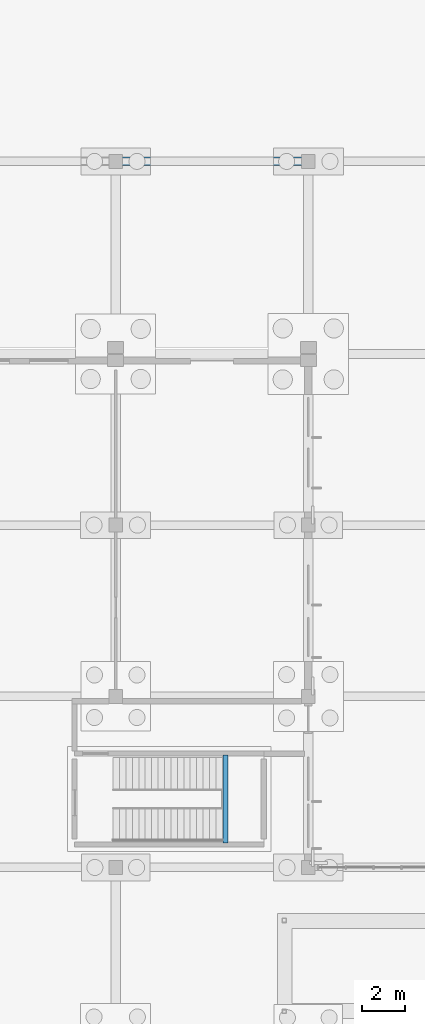
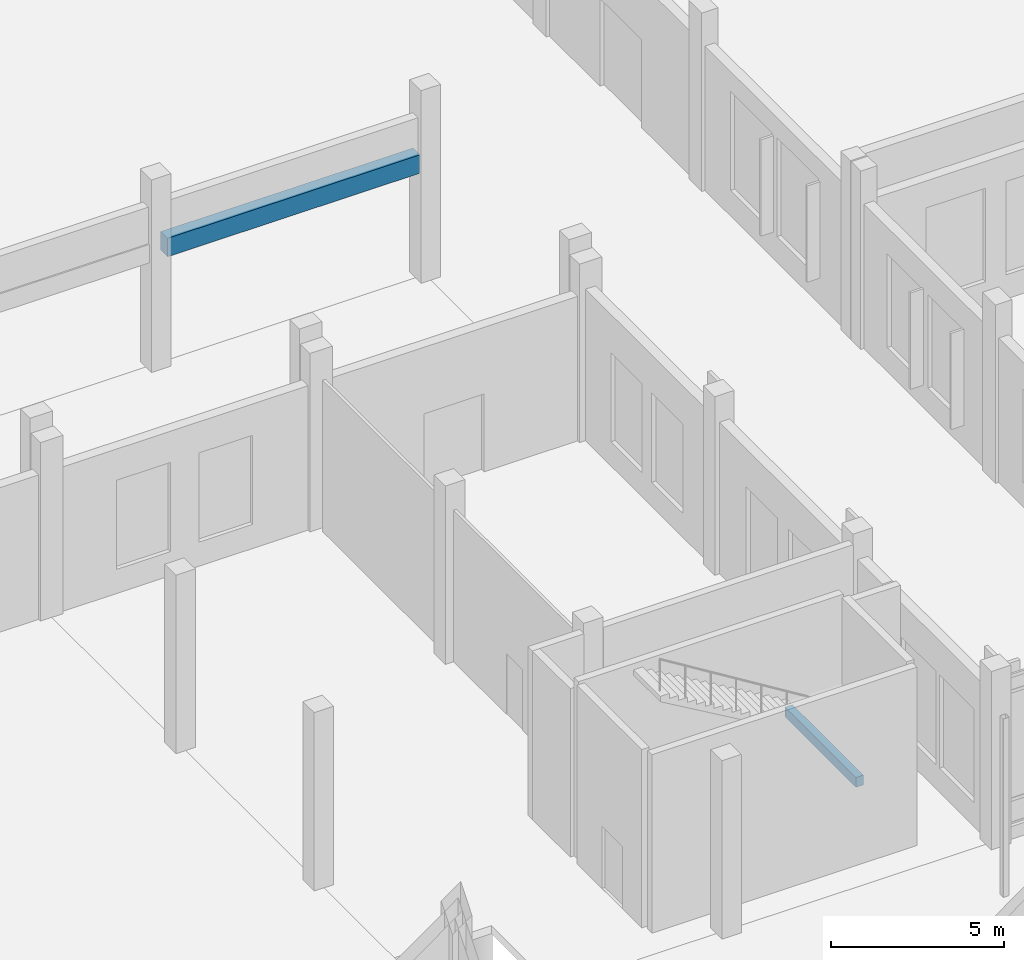
# One storey, part 44 of 99: 2 beams.
"""IFC4 building model written with IfcOpenShell, lengths in metres."""

from ifc_helpers import new_model, si_unit, direction, frame, origin, origin_2d, place, context, subcontext, project, spatial, rectangle, extrude, material, material_profile, profile_set, type_object, element, save


model = new_model("IFC4")

# Units and contexts
model_context = context("Model", 3, precision=1e-05, world=origin(), true_north=direction((0.0, 1.0)))
body_context = subcontext(model_context, "Body", "Model", "MODEL_VIEW")
ifc_project = project(units=[si_unit("LENGTHUNIT", "METRE"), si_unit("AREAUNIT", "SQUARE_METRE"), si_unit("VOLUMEUNIT", "CUBIC_METRE"), si_unit("PLANEANGLEUNIT", "RADIAN"), si_unit("MASSUNIT", "GRAM", prefix="KILO")], contexts=[model_context])

# Site, building, storey
site_placement = place(None, origin())
site = spatial("IfcSite", under=ifc_project, at=site_placement, CompositionType="ELEMENT")
building_placement = place(site_placement, origin())
building = spatial("IfcBuilding", under=site, at=building_placement, Name="Zacnel Wholesale Market", CompositionType="ELEMENT")
storey_placement = place(building_placement, origin())
storey = spatial("IfcBuildingStorey", under=building, at=storey_placement, Name="L01", CompositionType="ELEMENT", Elevation=0.0)

# Beams
ifc_material_1 = material(Name="Precast concrete C45/55", Category="concrete")
ifc_material_profile_1 = material_profile(ifc_material_1, rectangle(XDim=0.25, YDim=0.35009765625, at=origin_2d()), Name="LN 250x350")
ifc_profile_set_1 = profile_set([ifc_material_profile_1], Name="Precast concrete C45/55")
beam_type_1 = type_object("IfcBeamType", Name="BM-LN350", PredefinedType="LINTEL", material=ifc_profile_set_1)
beam_1_placement = place(storey_placement, frame((131.1298828125, 25.14990234375, 2.77490234375), z_axis=(0.0, 1.0, 0.0), x_axis=(-1.0, 0.0, 0.0)))
element("IfcBeam", 1, at=beam_1_placement, inside=storey, type_object=beam_type_1, Name="Stair ST-19 half-landing bearing beam", PredefinedType="LINTEL", context=body_context, shape_type="SweptSolid", body=[
    extrude(rectangle(XDim=0.25, YDim=0.35009765625, at=origin_2d()), origin(), (0.0, 0.0, 1.0), 4.10009765625),
])
ifc_material_2 = material(Name="Precast concrete C45/55", Category="concrete")
ifc_material_profile_2 = material_profile(ifc_material_2, rectangle(XDim=0.39990234375, YDim=0.64990234375, at=origin_2d()), Name="PG 400x650")
ifc_profile_set_2 = profile_set([ifc_material_profile_2], Name="Precast concrete C45/55")
beam_type_2 = type_object("IfcBeamType", Name="BM-PG650", PredefinedType="BEAM", material=ifc_profile_set_2)
beam_2_placement = place(storey_placement, frame((126.280029296875, 57.0, 4.125), z_axis=(1.0, 0.0, 0.0), x_axis=(0.0, 1.0, 0.0)))
element("IfcBeam", 2, at=beam_2_placement, inside=storey, type_object=beam_type_2, Name="Auction portico architrave girder 06", PredefinedType="BEAM", context=body_context, shape_type="SweptSolid", body=[
    extrude(rectangle(XDim=0.39990234375, YDim=0.64990234375, at=origin_2d()), origin(), (0.0, 0.0, 1.0), 8.43994140625),
])

save(model, "model.ifc")
